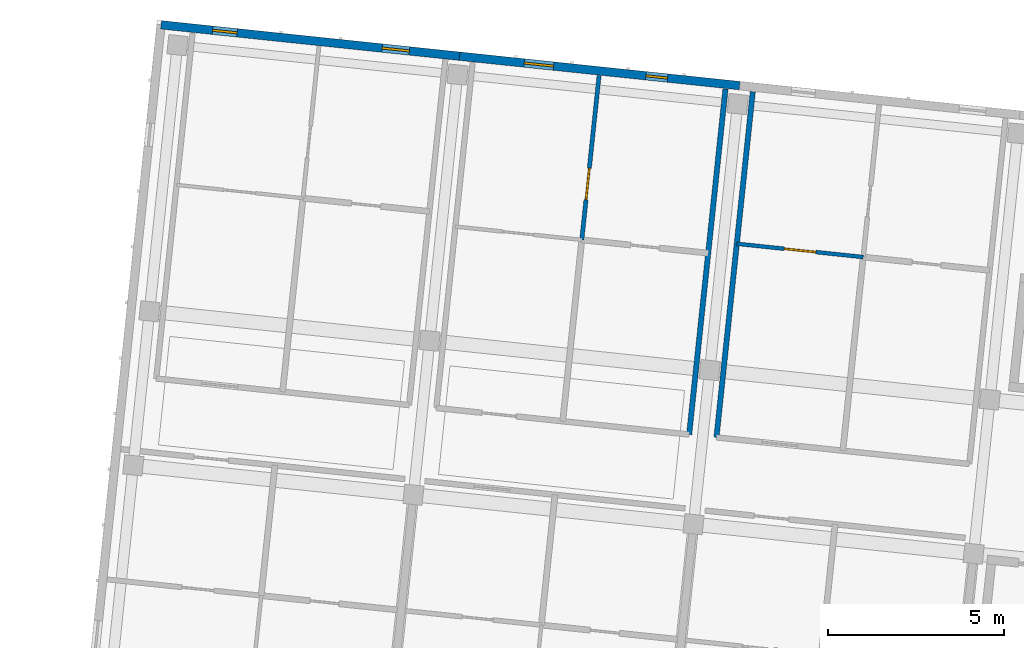
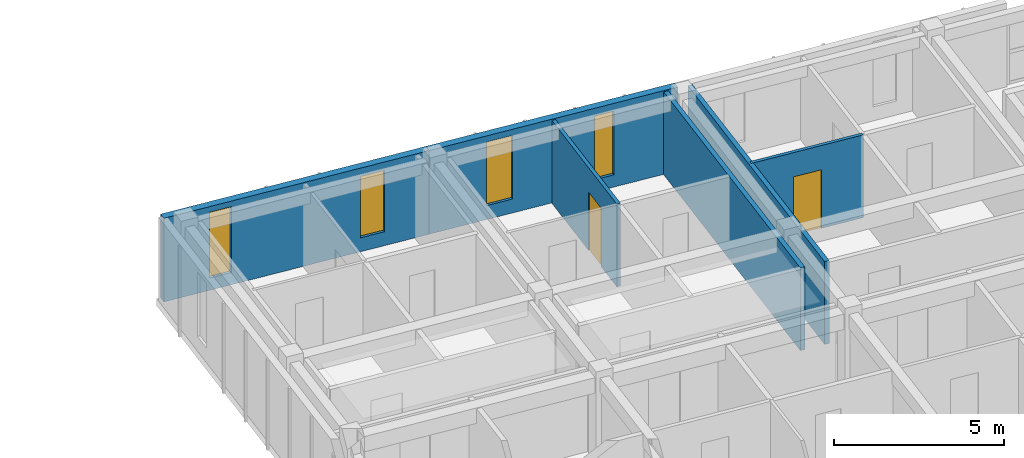
# One storey, part 32 of 65: 6 walls, 4 windows, 2 doors, 6 openings.
"""IFC4 building model written with IfcOpenShell, lengths in metres."""

from ifc_helpers import new_model, si_unit, direction, frame, frame_2d, origin, place, context, subcontext, project, spatial, rectangle, extrude, material, layer, layer_set, type_object, element, fill, save


model = new_model("IFC4")

# Units and contexts
model_context = context("Model", 3, precision=1e-05, world=origin(), true_north=direction((0.0, 1.0)))
body_context = subcontext(model_context, "Body", "Model", "MODEL_VIEW")
ifc_project = project(units=[si_unit("LENGTHUNIT", "METRE"), si_unit("AREAUNIT", "SQUARE_METRE"), si_unit("VOLUMEUNIT", "CUBIC_METRE"), si_unit("PLANEANGLEUNIT", "RADIAN"), si_unit("MASSUNIT", "GRAM", prefix="KILO")], contexts=[model_context])

# Site, building, storey
site_placement = place(None, origin())
site = spatial("IfcSite", under=ifc_project, at=site_placement, CompositionType="ELEMENT")
building_placement = place(site_placement, origin())
building = spatial("IfcBuilding", under=site, at=building_placement, Name="Kestramere Prow Commons", CompositionType="ELEMENT")
storey_placement = place(building_placement, frame((0.0, 0.0, 21.39990234375)))
storey = spatial("IfcBuildingStorey", under=building, at=storey_placement, Name="L06", CompositionType="ELEMENT", Elevation=21.39990234375)

# Wall, openings, windows
ifc_material_1 = material(Name="Fluoropolymer Standing-Seam Zinc-Aluminium Cladding", Category="aluminium")
ifc_layer_1 = layer(ifc_material_1, 0.239990234375)
ifc_layer_set_1 = layer_set([ifc_layer_1], Name="Fluoropolymer Standing-Seam Zinc-Aluminium Cladding")
wall_type_1 = type_object("IfcWallType", Name="EW-SEAM-240", PredefinedType="SOLIDWALL", material=ifc_layer_set_1)
wall_1_placement = place(storey_placement, frame((111.58154296875, 114.86962890625, 0.0), z_axis=(0.0, 0.0, 1.0), x_axis=(0.994521760736, -0.104529744196, 0.0)))
wall_1 = element("IfcWall", 1, at=wall_1_placement, inside=storey, type_object=wall_type_1, Name="Block B L06 North Standing-Seam Wall 1", PredefinedType="SOLIDWALL", context=body_context, shape_type="SweptSolid", body=[
    extrude(rectangle(XDim=8.52490234375, YDim=0.239990234375, at=frame_2d((4.262451171875, 0.0))), origin(), (0.0, 0.0, 1.0), 3.0),
])
opening_1_placement = place(wall_1_placement, frame((1.472900390625, 0.0, 0.43994140625)))
opening_1 = element("IfcOpeningElement", 2, at=opening_1_placement, cuts=wall_1, Name="Opening WN-07", PredefinedType="OPENING", context=body_context, shape_type="SweptSolid", body=[
    extrude(rectangle(XDim=0.699951171875, YDim=2.360107421875, at=frame_2d((0.35009765625, 1.18017578125))), frame((0.0, 0.135009765625, 0.0), z_axis=(0.0, -1.0, 0.0), x_axis=(1.0, 0.0, 0.0)), (0.0, 0.0, 1.0), 0.27001953125),
])
opening_2_placement = place(wall_1_placement, frame((6.31494140625, 0.0, 0.5)))
opening_2 = element("IfcOpeningElement", 3, at=opening_2_placement, cuts=wall_1, Name="Opening WN-11", PredefinedType="OPENING", context=body_context, shape_type="SweptSolid", body=[
    extrude(rectangle(XDim=0.780029296875, YDim=2.199951171875, at=frame_2d((0.39013671875, 1.10009765625))), frame((0.0, 0.135009765625, 0.0), z_axis=(0.0, -1.0, 0.0), x_axis=(1.0, 0.0, 0.0)), (0.0, 0.0, 1.0), 0.27001953125),
])
ifc_material_2 = material(Name="Low-E Laminated Double Glazing", Category="glass")
window_type_1 = type_object("IfcWindowType", Name="WN-NAR-700A", PartitioningType="SINGLE_PANEL", PredefinedType="WINDOW", material=ifc_material_2)
window_1_placement = place(opening_1_placement, origin())
window_1 = element("IfcWindow", 4, at=window_1_placement, inside=storey, type_object=window_type_1, Name="WN-B-L06-N-0-0", OverallHeight=2.360107421875, OverallWidth=0.699951171875, PartitioningType="SINGLE_PANEL", PredefinedType="WINDOW", context=body_context, shape_type="SweptSolid", body=[
    extrude(rectangle(XDim=0.699951171875, YDim=2.360107421875, at=frame_2d((0.35009765625, 1.18017578125))), frame((0.0, 0.030029296875, 0.0), z_axis=(0.0, -1.0, 0.0), x_axis=(1.0, 0.0, 0.0)), (0.0, 0.0, 1.0), 0.06005859375),
])
fill(opening_1, window_1)
window_type_2 = type_object("IfcWindowType", Name="WN-NAR-780A", PartitioningType="SINGLE_PANEL", PredefinedType="WINDOW", material=ifc_material_2)
window_2_placement = place(opening_2_placement, origin())
window_2 = element("IfcWindow", 5, at=window_2_placement, inside=storey, type_object=window_type_2, Name="WN-B-L06-N-0-1", OverallHeight=2.199951171875, OverallWidth=0.780029296875, PartitioningType="SINGLE_PANEL", PredefinedType="WINDOW", context=body_context, shape_type="SweptSolid", body=[
    extrude(rectangle(XDim=0.780029296875, YDim=2.199951171875, at=frame_2d((0.39013671875, 1.10009765625))), frame((0.0, 0.030029296875, 0.0), z_axis=(0.0, -1.0, 0.0), x_axis=(1.0, 0.0, 0.0)), (0.0, 0.0, 1.0), 0.06005859375),
])
fill(opening_2, window_2)

wall_2_placement = place(storey_placement, frame((120.059814453125, 113.978515625, 0.0), z_axis=(0.0, 0.0, 1.0), x_axis=(0.994522329422, -0.104524333444, 0.0)))
wall_2 = element("IfcWall", 6, at=wall_2_placement, inside=storey, type_object=wall_type_1, Name="Block B L06 North Standing-Seam Wall 2", PredefinedType="SOLIDWALL", context=body_context, shape_type="SweptSolid", body=[
    extrude(rectangle(XDim=7.999755859375, YDim=0.239990234375, at=frame_2d((4.0, 0.0))), origin(), (0.0, 0.0, 1.0), 3.0),
])
opening_3_placement = place(wall_2_placement, frame((1.847900390625, 0.0, 0.5)))
opening_3 = element("IfcOpeningElement", 7, at=opening_3_placement, cuts=wall_2, Name="Opening WN-14", PredefinedType="OPENING", context=body_context, shape_type="SweptSolid", body=[
    extrude(rectangle(XDim=0.840087890625, YDim=2.280029296875, at=frame_2d((0.419921875, 1.14013671875))), frame((0.0, 0.135009765625, 0.0), z_axis=(0.0, -1.0, 0.0), x_axis=(1.0, 0.0, 0.0)), (0.0, 0.0, 1.0), 0.27001953125),
])
opening_4_placement = place(wall_2_placement, frame((5.323974609375, 0.0, 0.43994140625)))
opening_4 = element("IfcOpeningElement", 8, at=opening_4_placement, cuts=wall_2, Name="Opening WN-03", PredefinedType="OPENING", context=body_context, shape_type="SweptSolid", body=[
    extrude(rectangle(XDim=0.6201171875, YDim=2.280029296875, at=frame_2d((0.31005859375, 1.14013671875))), frame((0.0, 0.135009765625, 0.0), z_axis=(0.0, -1.0, 0.0), x_axis=(1.0, 0.0, 0.0)), (0.0, 0.0, 1.0), 0.27001953125),
])
window_type_3 = type_object("IfcWindowType", Name="WN-NAR-620A", PartitioningType="SINGLE_PANEL", PredefinedType="WINDOW", material=ifc_material_2)
window_3_placement = place(opening_4_placement, origin())
window_3 = element("IfcWindow", 9, at=window_3_placement, inside=storey, type_object=window_type_3, Name="WN-B-L06-N-1-1", OverallHeight=2.280029296875, OverallWidth=0.6201171875, PartitioningType="SINGLE_PANEL", PredefinedType="WINDOW", context=body_context, shape_type="SweptSolid", body=[
    extrude(rectangle(XDim=0.6201171875, YDim=2.280029296875, at=frame_2d((0.31005859375, 1.14013671875))), frame((0.0, 0.030029296875, 0.0), z_axis=(0.0, -1.0, 0.0), x_axis=(1.0, 0.0, 0.0)), (0.0, 0.0, 1.0), 0.06005859375),
])
fill(opening_4, window_3)
window_type_4 = type_object("IfcWindowType", Name="WN-NAR-840A", PartitioningType="DOUBLE_PANEL_VERTICAL", PredefinedType="WINDOW", material=ifc_material_2)
window_4_placement = place(opening_3_placement, origin())
window_4 = element("IfcWindow", 10, at=window_4_placement, inside=storey, type_object=window_type_4, Name="WN-B-L06-N-1-0", OverallHeight=2.280029296875, OverallWidth=0.840087890625, PartitioningType="SINGLE_PANEL", PredefinedType="WINDOW", context=body_context, shape_type="SweptSolid", body=[
    extrude(rectangle(XDim=0.840087890625, YDim=2.280029296875, at=frame_2d((0.419921875, 1.14013671875))), frame((0.0, 0.030029296875, 0.0), z_axis=(0.0, -1.0, 0.0), x_axis=(1.0, 0.0, 0.0)), (0.0, 0.0, 1.0), 0.06005859375),
])
fill(opening_3, window_4)

# Wall, opening, door
ifc_material_3 = material(Name="Gypsum Acoustic Drywall")
ifc_layer_2 = layer(ifc_material_3, 0.110107421875)
ifc_layer_set_2 = layer_set([ifc_layer_2], Name="Gypsum Acoustic Drywall")
wall_type_2 = type_object("IfcWallType", Name="W-PART-110", PredefinedType="PARTITIONING", material=ifc_layer_set_2)
wall_3_placement = place(storey_placement, frame((127.93603515625, 108.651123046875, 0.0), z_axis=(0.0, 0.0, 1.0), x_axis=(0.994519525119, -0.104551012229, 0.0)))
wall_3 = element("IfcWall", 11, at=wall_3_placement, inside=storey, type_object=wall_type_2, Name="Interior Partition PW-B-L06-MIDN1-2", PredefinedType="PARTITIONING", context=body_context, shape_type="SweptSolid", body=[
    extrude(rectangle(XDim=3.610107421875, YDim=0.110107421875, at=frame_2d((1.80517578125, 0.0))), origin(), (0.0, 0.0, 1.0), 2.97021484375),
])
opening_5_placement = place(wall_3_placement, frame((1.35498046875, 0.0, 0.0)))
opening_5 = element("IfcOpeningElement", 12, at=opening_5_placement, cuts=wall_3, Name="Opening ID-08", PredefinedType="OPENING", context=body_context, shape_type="SweptSolid", body=[
    extrude(rectangle(XDim=0.89990234375, YDim=2.10009765625, at=frame_2d((0.449951171875, 1.050048828125))), frame((0.0, 0.070068359375, 0.0), z_axis=(0.0, -1.0, 0.0), x_axis=(1.0, 0.0, 0.0)), (0.0, 0.0, 1.0), 0.14013671875),
])
ifc_material_4 = material(Name="Engineered Timber Flush Door", Category="wood")
door_type = type_object("IfcDoorType", Name="D-RM-01", OperationType="NOTDEFINED", PredefinedType="DOOR", material=ifc_material_4)
door_1_placement = place(opening_5_placement, origin())
door_1 = element("IfcDoor", 13, at=door_1_placement, inside=storey, type_object=door_type, Name="Interior Door DR-B-L06-KL-N2", OperationType="SINGLE_SWING_LEFT", OverallHeight=2.10009765625, OverallWidth=0.89990234375, PredefinedType="DOOR", context=body_context, shape_type="SweptSolid", body=[
    extrude(rectangle(XDim=0.89990234375, YDim=2.10009765625, at=frame_2d((0.449951171875, 1.050048828125))), frame((0.0, 0.02490234375, 0.0), z_axis=(0.0, -1.0, 0.0), x_axis=(1.0, 0.0, 0.0)), (0.0, 0.0, 1.0), 0.050048828125),
])
fill(opening_5, door_1)

ifc_material_5 = material(Name="Lightweight Blockwork and Plaster", Category="masonry")
ifc_layer_3 = layer(ifc_material_5, 0.1201171875)
ifc_layer_set_3 = layer_set([ifc_layer_3], Name="Lightweight Blockwork and Plaster")
wall_type_3 = type_object("IfcWallType", Name="W-PART-120", PredefinedType="PARTITIONING", material=ifc_layer_set_3)
wall_4_placement = place(storey_placement, frame((123.533447265625, 108.761962890625, 0.0), z_axis=(0.0, 0.0, 1.0), x_axis=(0.104527618124, 0.994521984196, 0.0)))
wall_4 = element("IfcWall", 14, at=wall_4_placement, inside=storey, type_object=wall_type_3, Name="Interior Partition PW-B-L06-LB-N1", PredefinedType="PARTITIONING", context=body_context, shape_type="SweptSolid", body=[
    extrude(rectangle(XDim=4.68994140625, YDim=0.1201171875, at=frame_2d((2.344970703125, 0.0))), origin(), (0.0, 0.0, 1.0), 2.97021484375),
])
opening_6_placement = place(wall_4_placement, frame((1.14990234375, 0.0, 0.0)))
opening_6 = element("IfcOpeningElement", 15, at=opening_6_placement, cuts=wall_4, Name="Opening ID-08", PredefinedType="OPENING", context=body_context, shape_type="SweptSolid", body=[
    extrude(rectangle(XDim=0.89990234375, YDim=2.10009765625, at=frame_2d((0.449951171875, 1.050048828125))), frame((0.0, 0.074951171875, 0.0), z_axis=(0.0, -1.0, 0.0), x_axis=(1.0, 0.0, 0.0)), (0.0, 0.0, 1.0), 0.150146484375),
])
door_2_placement = place(opening_6_placement, origin())
door_2 = element("IfcDoor", 16, at=door_2_placement, inside=storey, type_object=door_type, Name="Interior Door DR-B-L06-BED-N1", OperationType="SINGLE_SWING_LEFT", OverallHeight=2.10009765625, OverallWidth=0.89990234375, PredefinedType="DOOR", context=body_context, shape_type="SweptSolid", body=[
    extrude(rectangle(XDim=0.89990234375, YDim=2.10009765625, at=frame_2d((0.449951171875, 1.050048828125))), frame((0.0, 0.02490234375, 0.0), z_axis=(0.0, -1.0, 0.0), x_axis=(1.0, 0.0, 0.0)), (0.0, 0.0, 1.0), 0.050048828125),
])
fill(opening_6, door_2)

# Walls
ifc_material_6 = material(Name="Masonry Compartment Wall", Category="masonry")
ifc_layer_4 = layer(ifc_material_6, 0.14990234375)
ifc_layer_set_4 = layer_set([ifc_layer_4], Name="Masonry Compartment Wall")
wall_type_4 = type_object("IfcWallType", Name="W-PART-150", PredefinedType="PARTITIONING", material=ifc_layer_set_4)
for number, where, z_axis, x_axis, name in (
    (17, (126.582275390625, 103.23291015625, 0.0), (0.0, 0.0, 1.0), (0.10453284543, 0.994521434775, 0.0), "Interior Partition PW-B-L06-NWR-1"),
    (18, (127.358154296875, 103.1513671875, 0.0), (0.0, 0.0, 1.0), (0.104508379977, 0.994524006002, 0.0), "Interior Partition PW-B-L06-NWL-2"),
):
    element("IfcWall", number, at=place(storey_placement, frame(where, z_axis=z_axis, x_axis=x_axis)), inside=storey, type_object=wall_type_4, Name=name, PredefinedType="PARTITIONING", context=body_context, shape_type="SweptSolid", body=[
        extrude(rectangle(XDim=9.869873046875, YDim=0.14990234375, at=frame_2d((4.93505859375, 0.0))), origin(), (0.0, 0.0, 1.0), 2.97021484375),
    ])

save(model, "model.ifc")
